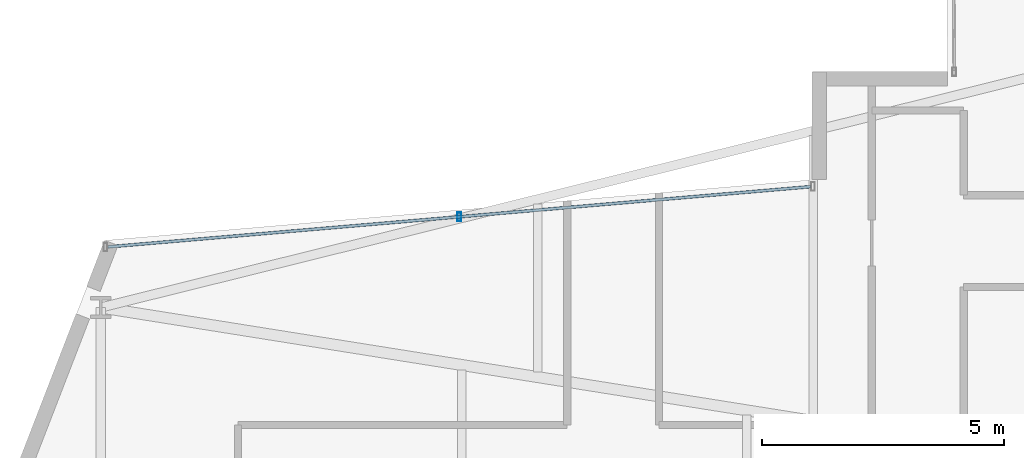
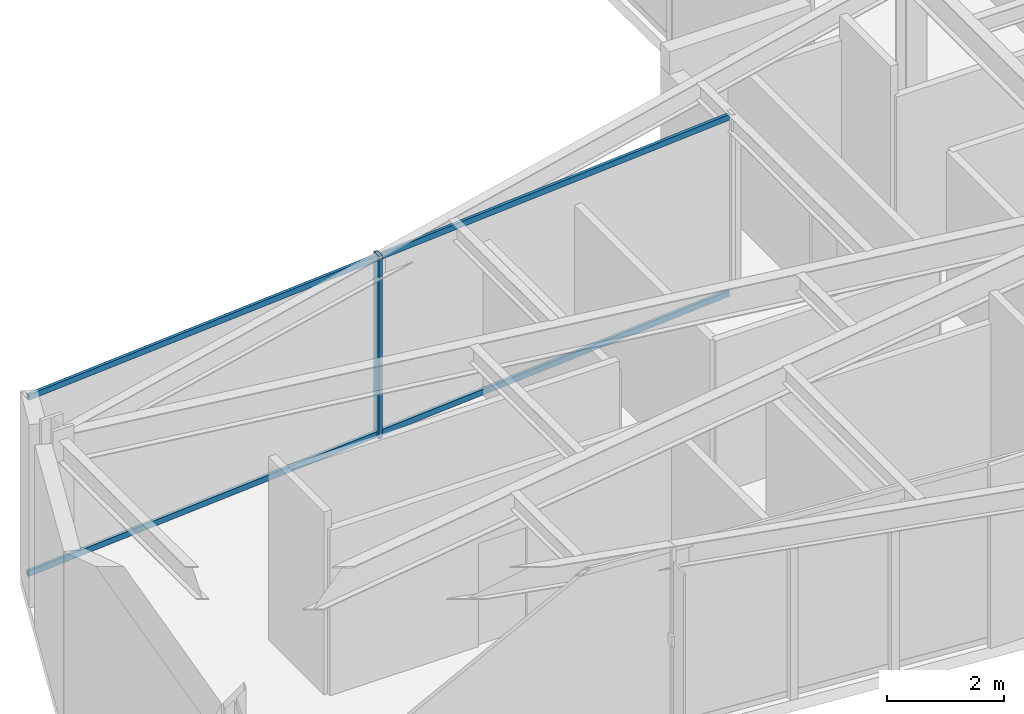
# One storey, part 9 of 26: 3 members, 1 element without a shape of its own.
"""IFC4 building model written with IfcOpenShell, lengths in metres."""

import ifcopenshell
import ifcopenshell.guid

model = None  # the IFC model being written
_history = None  # IfcOwnerHistory: only IFC2X3 demands one
_inside = {}  # id of a spatial element -> (the spatial element, [elements in it])
_under = {}  # id of a project, library or spatial element -> (it, [spatial elements below it])
_declared = {}  # id of a project -> (the project, [libraries it declares])
_typed = {}  # id of a type object -> (the type object, [elements of that type])
_made_of = {}  # id of a material, layer set ... -> (it, [elements and type objects made of it])


def new_model(schema):
    """Start an empty IFC model of exactly this schema.

    Asked for "IFC4X3", IfcOpenShell would pick the latest addendum, in which some entities
    have other attributes; the version numbers below select the first issue.
    IFC2X3 requires an IfcOwnerHistory on every rooted entity: one is made here for all.
    """
    global model, _history
    if schema == "IFC4X3":
        model = ifcopenshell.file(schema_version=(4, 3, 0, 0))
    else:
        model = ifcopenshell.file(schema=schema)
    _inside.clear()
    _under.clear()
    _declared.clear()
    _typed.clear()
    _made_of.clear()
    _history = None
    if model.schema == "IFC2X3":
        org = make("IfcOrganization", Name="unknown")
        user = make(
            "IfcPersonAndOrganization",
            ThePerson=make("IfcPerson", FamilyName="unknown"),
            TheOrganization=org,
        )
        app = make(
            "IfcApplication",
            ApplicationDeveloper=org,
            Version="unknown",
            ApplicationFullName="unknown",
            ApplicationIdentifier="unknown",
        )
        _history = make(
            "IfcOwnerHistory",
            OwningUser=user,
            OwningApplication=app,
            ChangeAction="ADDED",
            CreationDate=0,
        )
    return model


def make(cls, **values):
    """One entity of the class cls with the attributes given. An attribute that is None is left unset."""
    return model.create_entity(
        cls, **{name: value for name, value in values.items() if value is not None}
    )


def rooted(cls, **values):
    """An entity with a GlobalId (a new one), such as an element, a storey or a relation."""
    return make(cls, GlobalId=ifcopenshell.guid.new(), OwnerHistory=_history, **values)


def si_unit(unit_type, name, prefix=None):
    """IfcSIUnit, for example si_unit("LENGTHUNIT", "METRE", prefix="MILLI")."""
    return make("IfcSIUnit", UnitType=unit_type, Prefix=prefix, Name=name)


def assignment(units):
    """IfcUnitAssignment: the units of a project."""
    return None if units is None else make("IfcUnitAssignment", Units=units)


def point(xyz):
    """IfcCartesianPoint."""
    return None if xyz is None else make("IfcCartesianPoint", Coordinates=xyz)


def direction(xyz):
    """IfcDirection."""
    return None if xyz is None else make("IfcDirection", DirectionRatios=xyz)


def frame(location, z_axis=None, x_axis=None):
    """IfcAxis2Placement3D, a coordinate frame: its origin and axes. An axis left out is left unset."""
    return make(
        "IfcAxis2Placement3D",
        Location=point(location),
        Axis=direction(z_axis),
        RefDirection=direction(x_axis),
    )


def frame_2d(location, x_axis=None):
    """IfcAxis2Placement2D, a coordinate frame in the plane: its origin and x axis."""
    return make(
        "IfcAxis2Placement2D", Location=point(location), RefDirection=direction(x_axis)
    )


def origin():
    """The frame at (0, 0, 0) with its axes left unset."""
    return frame((0.0, 0.0, 0.0))


def origin_2d():
    """The frame at (0, 0) in the plane with its x axis left unset."""
    return frame_2d((0.0, 0.0))


def place(relative_to, where):
    """IfcLocalPlacement: puts the frame where relative to a parent placement (None: the world)."""
    return make(
        "IfcLocalPlacement", PlacementRelTo=relative_to, RelativePlacement=where
    )


def context(
    kind, dimensions, precision=None, world=None, true_north=None, identifier=None
):
    """IfcGeometricRepresentationContext, for example the 3D "Model" context."""
    return make(
        "IfcGeometricRepresentationContext",
        ContextIdentifier=identifier,
        ContextType=kind,
        CoordinateSpaceDimension=dimensions,
        Precision=precision,
        WorldCoordinateSystem=world,
        TrueNorth=true_north,
    )


def subcontext(parent, identifier, kind, view, scale=None):
    """IfcGeometricRepresentationSubContext, for example "Body" below "Model"."""
    return make(
        "IfcGeometricRepresentationSubContext",
        ContextIdentifier=identifier,
        ContextType=kind,
        ParentContext=parent,
        TargetScale=scale,
        TargetView=view,
    )


def project(units=None, contexts=None):
    """IfcProject with its units and contexts."""
    return rooted(
        "IfcProject",
        Name="project",
        RepresentationContexts=contexts,
        UnitsInContext=assignment(units),
    )


def spatial(cls, under=None, at=None, **own):
    """A site, building, storey or space (cls), placed at a placement, below another one or the project."""
    s = rooted(cls, ObjectPlacement=at, **own)
    if under is not None:
        _under.setdefault(under.id(), (under, []))[1].append(s)
    return s


def profile(cls, at=None, kind="AREA", **sizes):
    """A parametric profile (cls). Its sizes go by their IFC names, for example OverallWidth=200.0."""
    return make(cls, ProfileType=kind, Position=at, **sizes)


def hollow_rectangle(**sizes):
    """IfcRectangleHollowProfileDef."""
    return profile("IfcRectangleHollowProfileDef", **sizes)


def extrude(swept, where, along, depth):
    """IfcExtrudedAreaSolid: the profile swept, set in the frame where, extruded along a direction by depth."""
    return make(
        "IfcExtrudedAreaSolid",
        SweptArea=swept,
        Position=where,
        ExtrudedDirection=direction(along),
        Depth=depth,
    )


def shape(context_of_items, identifier, shape_type, items):
    """IfcShapeRepresentation: the items that make up one representation, for example the "Body"."""
    return make(
        "IfcShapeRepresentation",
        ContextOfItems=context_of_items,
        RepresentationIdentifier=identifier,
        RepresentationType=shape_type,
        Items=items,
    )


def material(Name=None, Category=None):
    """IfcMaterial."""
    return make("IfcMaterial", Name=Name, Category=Category)


def layer(
    of_material, thickness, ventilated=None, Name=None, Category=None, Priority=None
):
    """IfcMaterialLayer: one layer of a wall or slab, of a material (None: an air gap)."""
    return make(
        "IfcMaterialLayer",
        Material=of_material,
        LayerThickness=thickness,
        IsVentilated=ventilated,
        Name=Name,
        Category=Category,
        Priority=Priority,
    )


def layer_set(layers, Name=None):
    """IfcMaterialLayerSet."""
    return make("IfcMaterialLayerSet", MaterialLayers=layers, LayerSetName=Name)


def material_profile(
    of_material, cross_section, Name=None, Category=None, Priority=None
):
    """IfcMaterialProfile: a cross section and its material."""
    return make(
        "IfcMaterialProfile",
        Name=Name,
        Material=of_material,
        Profile=cross_section,
        Priority=Priority,
        Category=Category,
    )


def profile_set(profiles, Name=None, composite=None):
    """IfcMaterialProfileSet."""
    return make(
        "IfcMaterialProfileSet",
        Name=Name,
        MaterialProfiles=profiles,
        CompositeProfile=composite,
    )


def made_of(thing, what):
    """Note that an element or type object is made of a material, layer set ...; save() writes the relation."""
    if what is not None:
        _made_of.setdefault(what.id(), (what, []))[1].append(thing)
    return thing


def type_object(cls, material=None, **own):
    """A type object (cls), such as IfcWallType, which elements share."""
    return made_of(rooted(cls, **own), material)


def element(
    cls,
    number,
    at=None,
    inside=None,
    cuts=None,
    type_object=None,
    material=None,
    context=None,
    identifier="Body",
    shape_type=None,
    held_by="IfcProductDefinitionShape",
    body=None,
    shapes=None,
    **own,
):
    """One element of the class cls, such as IfcWall. Its Tag is "e" and its number.

    at: its placement. inside: the storey or other place that contains it. cuts: it is an
    opening in that element (IfcRelVoidsElement). A single representation is given by context,
    identifier, shape_type and body (its items); several are given by shapes. held_by: the class
    of the entity that holds the representations. save() writes the other relations.
    """
    e = rooted(cls, Tag="e%d" % number, ObjectPlacement=at, **own)
    if body is not None:
        shapes = [shape(context, identifier, shape_type, body)]
    if shapes is not None:
        e.Representation = make(held_by, Representations=shapes)
    if inside is not None:
        _inside.setdefault(inside.id(), (inside, []))[1].append(e)
    if cuts is not None:
        rooted(
            "IfcRelVoidsElement", RelatingBuildingElement=cuts, RelatedOpeningElement=e
        )
    if type_object is not None:
        _typed.setdefault(type_object.id(), (type_object, []))[1].append(e)
    return made_of(e, material)


def aggregate(whole, parts):
    """IfcRelAggregates: a whole, such as a stair, and the parts it consists of."""
    return rooted("IfcRelAggregates", RelatingObject=whole, RelatedObjects=parts)


def save(model, path):
    """Write the relations noted so far, then the file.

    IfcRelAggregates (storeys below a building ...), IfcRelContainedInSpatialStructure (elements
    in a storey), IfcRelDefinesByType, IfcRelAssociatesMaterial and IfcRelDeclares: one each for
    every whole, place, type object, material and project.
    """
    for whole, parts in _under.values():
        aggregate(whole, parts)
    for where, things in _inside.values():
        rooted(
            "IfcRelContainedInSpatialStructure",
            RelatedElements=things,
            RelatingStructure=where,
        )
    for kind, things in _typed.values():
        rooted("IfcRelDefinesByType", RelatedObjects=things, RelatingType=kind)
    for what, things in _made_of.values():
        rooted("IfcRelAssociatesMaterial", RelatedObjects=things, RelatingMaterial=what)
    for by, libraries in _declared.values():
        rooted("IfcRelDeclares", RelatingContext=by, RelatedDefinitions=libraries)
    model.write(path)


model = new_model("IFC4")

# Units and contexts
model_context = context("Model", 3, precision=1e-05, world=origin(), true_north=direction((0.0, 1.0)))
body_context = subcontext(model_context, "Body", "Model", "MODEL_VIEW")
ifc_project = project(units=[si_unit("LENGTHUNIT", "METRE"), si_unit("AREAUNIT", "SQUARE_METRE"), si_unit("VOLUMEUNIT", "CUBIC_METRE"), si_unit("PLANEANGLEUNIT", "RADIAN"), si_unit("MASSUNIT", "GRAM", prefix="KILO")], contexts=[model_context])

# Site, building, storey
site_placement = place(None, origin())
site = spatial("IfcSite", under=ifc_project, at=site_placement, CompositionType="ELEMENT")
building_placement = place(site_placement, origin())
building = spatial("IfcBuilding", under=site, at=building_placement, Name="Veymaron Broadcast Tower", CompositionType="ELEMENT")
storey_placement = place(building_placement, frame((0.0, 0.0, 153.300048828125)))
storey = spatial("IfcBuildingStorey", under=building, at=storey_placement, Name="L35", CompositionType="ELEMENT", Elevation=153.300048828125)

# Curtain wall, members
ifc_material_1 = material(Name="Anodised aluminium AA 6063-T6 and laminated low-E dark glass", Category="aluminium")
ifc_layer = layer(ifc_material_1, 0.179931640625)
ifc_layer_set = layer_set([ifc_layer], Name="Anodised aluminium AA 6063-T6 and laminated low-E dark glass")
curtain_wall_type = type_object("IfcCurtainWallType", Name="CW-SYS-03", PredefinedType="NOTDEFINED", material=ifc_layer_set)
curtain_wall_placement = place(storey_placement, origin())
curtain_wall = element("IfcCurtainWall", 1, at=curtain_wall_placement, inside=storey, type_object=curtain_wall_type, Name="L35 dark-glass curtain wall CW-L35-E11-1", PredefinedType="NOTDEFINED")
ifc_material_2 = material(Name="Anodised aluminium AA 6063-T6", Category="aluminium")
ifc_material_profile_1 = material_profile(ifc_material_2, hollow_rectangle(XDim=0.074951171875, YDim=0.179931640625, WallThickness=0.0048828125, at=origin_2d()), Name="AL180X75X5")
ifc_profile_set_1 = profile_set([ifc_material_profile_1], Name="Anodised aluminium AA 6063-T6")
member_type_1 = type_object("IfcMemberType", Name="CW-MUL-02", PredefinedType="MULLION", material=ifc_profile_set_1)
member_1_placement = place(storey_placement, frame((18.96728515625, 29.00390625, 0.0), z_axis=(0.0, 0.0, 1.0), x_axis=(1.0, 0.0, 0.0)))
member_1 = element("IfcMember", 2, at=member_1_placement, type_object=member_type_1, Name="CW-L35-E11-1 mullion 1", PredefinedType="MULLION", context=body_context, shape_type="SweptSolid", body=[
    extrude(hollow_rectangle(XDim=0.074951171875, YDim=0.179931640625, WallThickness=0.0048828125, at=origin_2d()), origin(), (0.0, 0.0, 1.0), 3.81005859375),
])
ifc_material_profile_2 = material_profile(ifc_material_2, hollow_rectangle(XDim=0.06005859375, YDim=0.1201171875, WallThickness=0.00390625, at=origin_2d()), Name="AL120X60X4")
ifc_profile_set_2 = profile_set([ifc_material_profile_2], Name="Anodised aluminium AA 6063-T6")
member_type_2 = type_object("IfcMemberType", Name="CW-TRN-02", PredefinedType="USERDEFINED", material=ifc_profile_set_2)
member_2_placement = place(storey_placement, frame((26.232666015625, 29.626953125, 0.070068359375), z_axis=(-0.996343148228, -0.085441974336, 0.0), x_axis=(0.085441974336, -0.996343148228, 0.0)))
member_2 = element("IfcMember", 3, at=member_2_placement, type_object=member_type_2, Name="CW-L35-E11-1 transom B", ObjectType="TRANSOM", PredefinedType="USERDEFINED", context=body_context, shape_type="SweptSolid", body=[
    extrude(hollow_rectangle(XDim=0.06005859375, YDim=0.1201171875, WallThickness=0.00390625, at=origin_2d()), origin(), (0.0, 0.0, 1.0), 14.583984375),
])
member_3_placement = place(storey_placement, frame((26.232666015625, 29.626953125, 3.739990234375), z_axis=(-0.996343148228, -0.085441974336, 0.0), x_axis=(0.085441974336, -0.996343148228, 0.0)))
member_3 = element("IfcMember", 4, at=member_3_placement, type_object=member_type_2, Name="CW-L35-E11-1 transom T", ObjectType="TRANSOM", PredefinedType="USERDEFINED", context=body_context, shape_type="SweptSolid", body=[
    extrude(hollow_rectangle(XDim=0.06005859375, YDim=0.1201171875, WallThickness=0.00390625, at=origin_2d()), origin(), (0.0, 0.0, 1.0), 14.583984375),
])
aggregate(curtain_wall, [member_1, member_2, member_3])

save(model, "model.ifc")
